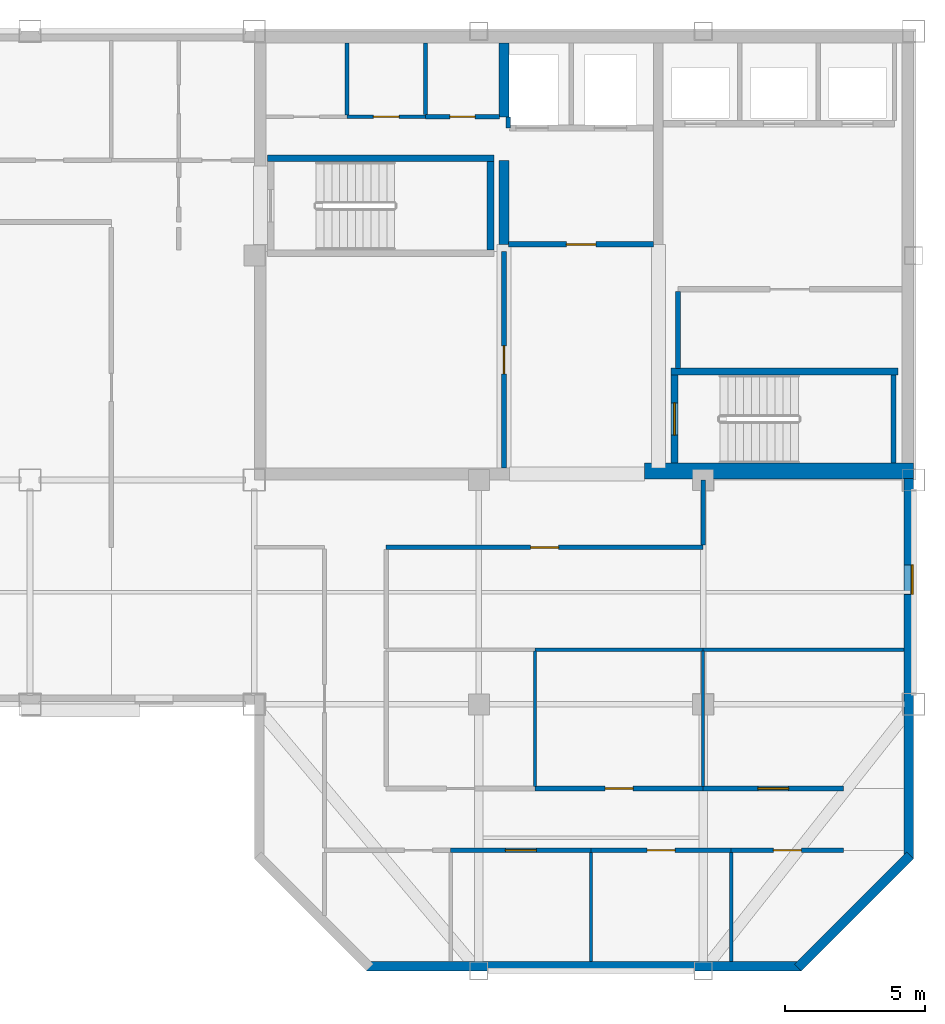
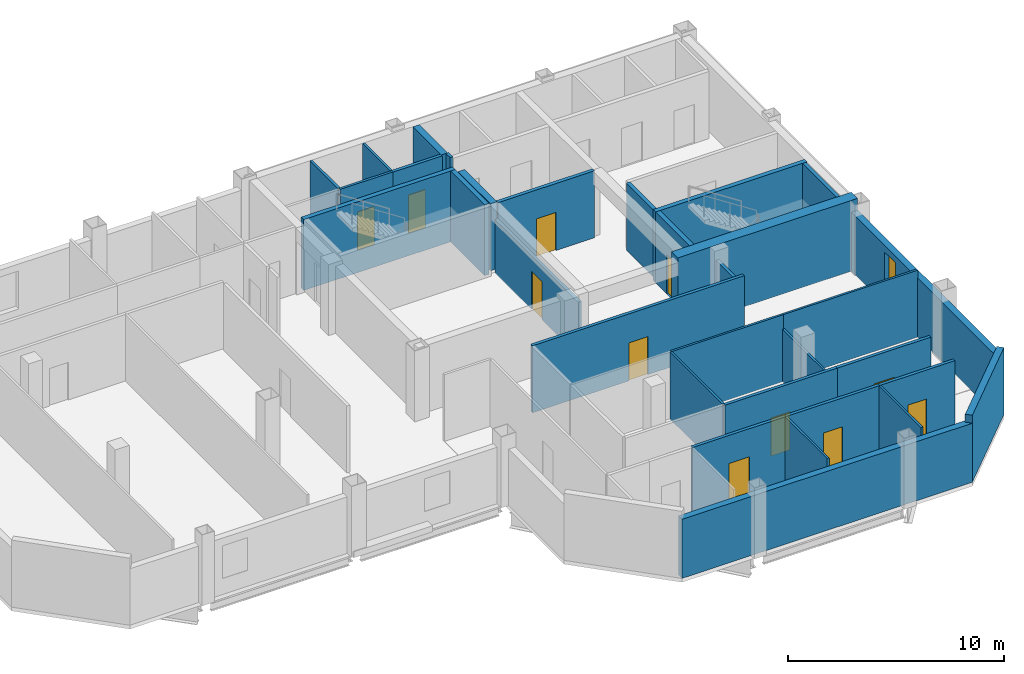
# One storey, part 3 of 7: 32 walls, 11 doors, 1 window, 12 openings.
"""IFC4 building model written with IfcOpenShell, lengths in metres."""

from ifc_helpers import new_model, si_unit, direction, frame, frame_2d, origin, place, context, subcontext, project, spatial, rectangle, extrude, material, layer, layer_set, type_object, element, fill, save


model = new_model("IFC4")

# Units and contexts
model_context = context("Model", 3, precision=1e-05, world=origin(), true_north=direction((0.0, 1.0)))
body_context = subcontext(model_context, "Body", "Model", "MODEL_VIEW")
ifc_project = project(units=[si_unit("LENGTHUNIT", "METRE"), si_unit("AREAUNIT", "SQUARE_METRE"), si_unit("VOLUMEUNIT", "CUBIC_METRE"), si_unit("PLANEANGLEUNIT", "RADIAN"), si_unit("MASSUNIT", "GRAM", prefix="KILO")], contexts=[model_context])

# Site, building, storey
site_placement = place(None, origin())
site = spatial("IfcSite", under=ifc_project, at=site_placement, CompositionType="ELEMENT")
building_placement = place(site_placement, origin())
building = spatial("IfcBuilding", under=site, at=building_placement, Name="Qianrong Seaharbour Tower", CompositionType="ELEMENT")
storey_placement = place(building_placement, frame((0.0, 0.0, 351.199951171875)))
storey = spatial("IfcBuildingStorey", under=building, at=storey_placement, Name="L85", CompositionType="ELEMENT", Elevation=351.199951171875)

# Walls
ifc_material_1 = material(Name="Concrete C70/85", Category="concrete")
ifc_layer_1 = layer(ifc_material_1, 0.580078125)
ifc_layer_set_1 = layer_set([ifc_layer_1], Name="Concrete C70/85")
wall_type_1 = type_object("IfcWallType", Name="WALL-CORE-580", PredefinedType="SHEAR", material=ifc_layer_set_1)
wall_1_placement = place(storey_placement, frame((54.39990234375, 36.320068359375, 0.0), z_axis=(0.0, 0.0, 1.0), x_axis=(1.0, 0.0, 0.0)))
element("IfcWall", 1, at=wall_1_placement, inside=storey, type_object=wall_type_1, Name="L85 South Core Shear Wall S3", PredefinedType="SHEAR", context=body_context, shape_type="SweptSolid", body=[
    extrude(rectangle(XDim=9.60009765625, YDim=0.580078125, at=frame_2d((4.800048828125, 0.0))), origin(), (0.0, 0.0, 1.0), 4.0),
])
ifc_material_2 = material(Name="Concrete C50/60", Category="concrete")
ifc_layer_2 = layer(ifc_material_2, 0.35009765625)
ifc_layer_set_2 = layer_set([ifc_layer_2], Name="Concrete C50/60")
wall_type_2 = type_object("IfcWallType", Name="WALL-CORE-INT-350", PredefinedType="SHEAR", material=ifc_layer_set_2)
wall_2_placement = place(storey_placement, frame((49.39990234375, 44.39990234375, 0.0), z_axis=(0.0, 0.0, 1.0), x_axis=(0.0, 1.0, 0.0)))
element("IfcWall", 2, at=wall_2_placement, inside=storey, type_object=wall_type_2, Name="L85 Internal Core Shear Wall IW1N1", PredefinedType="SHEAR", context=body_context, shape_type="SweptSolid", body=[
    extrude(rectangle(XDim=3.0, YDim=0.35009765625, at=frame_2d((1.5, 0.0))), origin(), (0.0, 0.0, 1.0), 3.78515625),
])
wall_3_placement = place(storey_placement, frame((49.39990234375, 48.949951171875, 0.0), z_axis=(0.0, 0.0, 1.0), x_axis=(0.0, 1.0, 0.0)))
element("IfcWall", 3, at=wall_3_placement, inside=storey, type_object=wall_type_2, Name="L85 Internal Core Shear Wall IW1N2", PredefinedType="SHEAR", context=body_context, shape_type="SweptSolid", body=[
    extrude(rectangle(XDim=2.630126953125, YDim=0.35009765625, at=frame_2d((1.31494140625, 0.0))), origin(), (0.0, 0.0, 1.0), 3.78515625),
])

# Wall, opening, door
ifc_material_3 = material(Name="Fire-rated acoustic gypsum board partition")
ifc_layer_3 = layer(ifc_material_3, 0.1650390625)
ifc_layer_set_3 = layer_set([ifc_layer_3], Name="Fire-rated acoustic gypsum board partition")
wall_type_3 = type_object("IfcWallType", Name="WALL-CORR-PART-165", PredefinedType="PARTITIONING", material=ifc_layer_set_3)
wall_4_placement = place(storey_placement, frame((46.60009765625, 48.949951171875, 0.0), z_axis=(0.0, 0.0, 1.0), x_axis=(1.0, 0.0, 0.0)))
wall_4 = element("IfcWall", 4, at=wall_4_placement, inside=storey, type_object=wall_type_3, Name="L85 Interior Partition Wall 009", PredefinedType="PARTITIONING", context=body_context, shape_type="SweptSolid", body=[
    extrude(rectangle(XDim=2.6328125, YDim=0.1650390625, at=frame_2d((1.31640625, 0.0))), origin(), (0.0, 0.0, 1.0), 3.78515625),
])
opening_1_placement = place(wall_4_placement, frame((0.866455078125, 0.0, 0.0)))
opening_1 = element("IfcOpeningElement", 5, at=opening_1_placement, cuts=wall_4, Name="Opening DS-01", PredefinedType="OPENING", context=body_context, shape_type="SweptSolid", body=[
    extrude(rectangle(XDim=0.89990234375, YDim=2.14990234375, at=frame_2d((0.449951171875, 1.074951171875))), frame((0.0, 0.092529296875, 0.0), z_axis=(0.0, -1.0, 0.0), x_axis=(1.0, 0.0, 0.0)), (0.0, 0.0, 1.0), 0.18505859375),
])
ifc_material_4 = material(Name="Acoustic timber and galvanized steel fire door assembly", Category="steel")
door_type_1 = type_object("IfcDoorType", Name="DOOR-STORE-900x2150", OperationType="NOTDEFINED", PredefinedType="DOOR", material=ifc_material_4)
door_1_placement = place(opening_1_placement, origin())
door_1 = element("IfcDoor", 6, at=door_1_placement, inside=storey, type_object=door_type_1, Name="L85 Cleaner Store Room Door", OperationType="SINGLE_SWING_RIGHT", OverallHeight=2.14990234375, OverallWidth=0.89990234375, PredefinedType="DOOR", context=body_context, shape_type="SweptSolid", body=[
    extrude(rectangle(XDim=0.89990234375, YDim=2.14990234375, at=frame_2d((0.449951171875, 1.074951171875))), frame((0.0, 0.02490234375, 0.0), z_axis=(0.0, -1.0, 0.0), x_axis=(1.0, 0.0, 0.0)), (0.0, 0.0, 1.0), 0.050048828125),
])
fill(opening_1, door_1)

wall_5_placement = place(storey_placement, frame((49.39990234375, 36.419921875, 0.0), z_axis=(0.0, 0.0, 1.0), x_axis=(0.0, 1.0, 0.0)))
wall_5 = element("IfcWall", 7, at=wall_5_placement, inside=storey, type_object=wall_type_3, Name="L85 Interior Partition Wall 011", PredefinedType="PARTITIONING", context=body_context, shape_type="SweptSolid", body=[
    extrude(rectangle(XDim=7.72998046875, YDim=0.1650390625, at=frame_2d((3.864990234375, 0.0))), origin(), (0.0, 0.0, 1.0), 3.027099609375),
])
opening_2_placement = place(wall_5_placement, frame((3.364990234375, 0.0, 0.0)))
opening_2 = element("IfcOpeningElement", 8, at=opening_2_placement, cuts=wall_5, Name="Opening DO-01", PredefinedType="OPENING", context=body_context, shape_type="SweptSolid", body=[
    extrude(rectangle(XDim=1.0, YDim=2.14990234375, at=frame_2d((0.5, 1.074951171875))), frame((0.0, 0.092529296875, 0.0), z_axis=(0.0, -1.0, 0.0), x_axis=(1.0, 0.0, 0.0)), (0.0, 0.0, 1.0), 0.18505859375),
])
door_type_2 = type_object("IfcDoorType", Name="DOOR-OFFICE-1000x2150", OperationType="NOTDEFINED", PredefinedType="DOOR", material=ifc_material_4)
door_2_placement = place(opening_2_placement, origin())
door_2 = element("IfcDoor", 9, at=door_2_placement, inside=storey, type_object=door_type_2, Name="L85 Data Systems Office Door", OperationType="SINGLE_SWING_LEFT", OverallHeight=2.14990234375, OverallWidth=1.0, PredefinedType="DOOR", context=body_context, shape_type="SweptSolid", body=[
    extrude(rectangle(XDim=1.0, YDim=2.14990234375, at=frame_2d((0.5, 1.074951171875))), frame((0.0, 0.02490234375, 0.0), z_axis=(0.0, -1.0, 0.0), x_axis=(1.0, 0.0, 0.0)), (0.0, 0.0, 1.0), 0.050048828125),
])
fill(opening_2, door_2)

# Wall
wall_6_placement = place(storey_placement, frame((56.5, 36.0, 0.0), z_axis=(0.0, 0.0, 1.0), x_axis=(0.0, -1.0, 0.0)))
element("IfcWall", 10, at=wall_6_placement, inside=storey, type_object=wall_type_3, Name="L85 Interior Partition Wall 024", PredefinedType="PARTITIONING", context=body_context, shape_type="SweptSolid", body=[
    extrude(rectangle(XDim=2.325439453125, YDim=0.1650390625, at=frame_2d((1.16259765625, 0.0))), origin(), (0.0, 0.0, 1.0), 3.177001953125),
])

# Wall, opening, door
wall_7_placement = place(storey_placement, frame((56.5, 33.60009765625, 0.0), z_axis=(0.0, 0.0, 1.0), x_axis=(-1.0, 0.0, 0.0)))
wall_7 = element("IfcWall", 11, at=wall_7_placement, inside=storey, type_object=wall_type_3, Name="L85 Interior Partition Wall 025", PredefinedType="PARTITIONING", context=body_context, shape_type="SweptSolid", body=[
    extrude(rectangle(XDim=11.300048828125, YDim=0.1650390625, at=frame_2d((5.64990234375, 0.0))), origin(), (0.0, 0.0, 1.0), 3.78515625),
])
opening_3_placement = place(wall_7_placement, frame((5.14990234375, 0.0, 0.0)))
opening_3 = element("IfcOpeningElement", 12, at=opening_3_placement, cuts=wall_7, Name="Opening DO-01", PredefinedType="OPENING", context=body_context, shape_type="SweptSolid", body=[
    extrude(rectangle(XDim=1.0, YDim=2.14990234375, at=frame_2d((0.5, 1.074951171875))), frame((0.0, 0.092529296875, 0.0), z_axis=(0.0, -1.0, 0.0), x_axis=(1.0, 0.0, 0.0)), (0.0, 0.0, 1.0), 0.18505859375),
])
door_3_placement = place(opening_3_placement, origin())
door_3 = element("IfcDoor", 13, at=door_3_placement, inside=storey, type_object=door_type_2, Name="L85 Commercial Desk Open-Plan Office Door", OperationType="SINGLE_SWING_LEFT", OverallHeight=2.14990234375, OverallWidth=1.0, PredefinedType="DOOR", context=body_context, shape_type="SweptSolid", body=[
    extrude(rectangle(XDim=1.0, YDim=2.14990234375, at=frame_2d((0.5, 1.074951171875))), frame((0.0, 0.02490234375, 0.0), z_axis=(0.0, -1.0, 0.0), x_axis=(1.0, 0.0, 0.0)), (0.0, 0.0, 1.0), 0.050048828125),
])
fill(opening_3, door_3)

wall_8_placement = place(storey_placement, frame((50.5, 25.0, 0.0), z_axis=(0.0, 0.0, 1.0), x_axis=(1.0, 0.0, 0.0)))
wall_8 = element("IfcWall", 14, at=wall_8_placement, inside=storey, type_object=wall_type_3, Name="L85 Interior Partition Wall 032", PredefinedType="PARTITIONING", context=body_context, shape_type="SweptSolid", body=[
    extrude(rectangle(XDim=6.0, YDim=0.1650390625, at=frame_2d((3.0, 0.0))), origin(), (0.0, 0.0, 1.0), 3.78515625),
])
opening_4_placement = place(wall_8_placement, frame((2.5, 0.0, 0.0)))
opening_4 = element("IfcOpeningElement", 15, at=opening_4_placement, cuts=wall_8, Name="Opening DO-01", PredefinedType="OPENING", context=body_context, shape_type="SweptSolid", body=[
    extrude(rectangle(XDim=1.0, YDim=2.14990234375, at=frame_2d((0.5, 1.074951171875))), frame((0.0, 0.092529296875, 0.0), z_axis=(0.0, -1.0, 0.0), x_axis=(1.0, 0.0, 0.0)), (0.0, 0.0, 1.0), 0.18505859375),
])
door_4_placement = place(opening_4_placement, origin())
door_4 = element("IfcDoor", 16, at=door_4_placement, inside=storey, type_object=door_type_2, Name="L85 Port Equipment Showroom 2 Door", OperationType="SINGLE_SWING_LEFT", OverallHeight=2.14990234375, OverallWidth=1.0, PredefinedType="DOOR", context=body_context, shape_type="SweptSolid", body=[
    extrude(rectangle(XDim=1.0, YDim=2.14990234375, at=frame_2d((0.5, 1.074951171875))), frame((0.0, 0.02490234375, 0.0), z_axis=(0.0, -1.0, 0.0), x_axis=(1.0, 0.0, 0.0)), (0.0, 0.0, 1.0), 0.050048828125),
])
fill(opening_4, door_4)

wall_9_placement = place(storey_placement, frame((56.5, 25.0, 0.0), z_axis=(0.0, 0.0, 1.0), x_axis=(1.0, 0.0, 0.0)))
wall_9 = element("IfcWall", 17, at=wall_9_placement, inside=storey, type_object=wall_type_3, Name="L85 Interior Partition Wall 033", PredefinedType="PARTITIONING", context=body_context, shape_type="SweptSolid", body=[
    extrude(rectangle(XDim=5.0, YDim=0.1650390625, at=frame_2d((2.5, 0.0))), origin(), (0.0, 0.0, 1.0), 3.78515625),
])
opening_5_placement = place(wall_9_placement, frame((1.949951171875, 0.0, 0.0)))
opening_5 = element("IfcOpeningElement", 18, at=opening_5_placement, cuts=wall_9, Name="Opening DM-01", PredefinedType="OPENING", context=body_context, shape_type="SweptSolid", body=[
    extrude(rectangle(XDim=1.10009765625, YDim=2.199951171875, at=frame_2d((0.550048828125, 1.10009765625))), frame((0.0, 0.092529296875, 0.0), z_axis=(0.0, -1.0, 0.0), x_axis=(1.0, 0.0, 0.0)), (0.0, 0.0, 1.0), 0.18505859375),
])
door_type_3 = type_object("IfcDoorType", Name="DOOR-MEET-1100x2200", OperationType="NOTDEFINED", PredefinedType="DOOR", material=ifc_material_4)
door_5_placement = place(opening_5_placement, origin())
door_5 = element("IfcDoor", 19, at=door_5_placement, inside=storey, type_object=door_type_3, Name="L85 Trade Meeting Room 3 Door", OperationType="SINGLE_SWING_RIGHT", OverallHeight=2.199951171875, OverallWidth=1.10009765625, PredefinedType="DOOR", context=body_context, shape_type="SweptSolid", body=[
    extrude(rectangle(XDim=1.10009765625, YDim=2.199951171875, at=frame_2d((0.550048828125, 1.10009765625))), frame((0.0, 0.02490234375, 0.0), z_axis=(0.0, -1.0, 0.0), x_axis=(1.0, 0.0, 0.0)), (0.0, 0.0, 1.0), 0.050048828125),
])
fill(opening_5, door_5)

wall_10_placement = place(storey_placement, frame((52.5, 22.800048828125, 0.0), z_axis=(0.0, 0.0, 1.0), x_axis=(-1.0, 0.0, 0.0)))
wall_10 = element("IfcWall", 20, at=wall_10_placement, inside=storey, type_object=wall_type_3, Name="L85 Interior Partition Wall 035", PredefinedType="PARTITIONING", context=body_context, shape_type="SweptSolid", body=[
    extrude(rectangle(XDim=5.0, YDim=0.1650390625, at=frame_2d((2.5, 0.0))), origin(), (0.0, 0.0, 1.0), 3.78515625),
])
opening_6_placement = place(wall_10_placement, frame((1.949951171875, 0.0, 0.0)))
opening_6 = element("IfcOpeningElement", 21, at=opening_6_placement, cuts=wall_10, Name="Opening DM-01", PredefinedType="OPENING", context=body_context, shape_type="SweptSolid", body=[
    extrude(rectangle(XDim=1.10009765625, YDim=2.199951171875, at=frame_2d((0.550048828125, 1.10009765625))), frame((0.0, 0.092529296875, 0.0), z_axis=(0.0, -1.0, 0.0), x_axis=(1.0, 0.0, 0.0)), (0.0, 0.0, 1.0), 0.18505859375),
])
door_6_placement = place(opening_6_placement, origin())
door_6 = element("IfcDoor", 22, at=door_6_placement, inside=storey, type_object=door_type_3, Name="L85 Contract Signing Room 2 Door", OperationType="SINGLE_SWING_LEFT", OverallHeight=2.199951171875, OverallWidth=1.10009765625, PredefinedType="DOOR", context=body_context, shape_type="SweptSolid", body=[
    extrude(rectangle(XDim=1.10009765625, YDim=2.199951171875, at=frame_2d((0.550048828125, 1.10009765625))), frame((0.0, 0.02490234375, 0.0), z_axis=(0.0, -1.0, 0.0), x_axis=(1.0, 0.0, 0.0)), (0.0, 0.0, 1.0), 0.050048828125),
])
fill(opening_6, door_6)

wall_11_placement = place(storey_placement, frame((57.5, 22.800048828125, 0.0), z_axis=(0.0, 0.0, 1.0), x_axis=(-1.0, 0.0, 0.0)))
wall_11 = element("IfcWall", 23, at=wall_11_placement, inside=storey, type_object=wall_type_3, Name="L85 Interior Partition Wall 036", PredefinedType="PARTITIONING", context=body_context, shape_type="SweptSolid", body=[
    extrude(rectangle(XDim=5.0, YDim=0.1650390625, at=frame_2d((2.5, 0.0))), origin(), (0.0, 0.0, 1.0), 3.78515625),
])
opening_7_placement = place(wall_11_placement, frame((2.0, 0.0, 0.0)))
opening_7 = element("IfcOpeningElement", 24, at=opening_7_placement, cuts=wall_11, Name="Opening DO-01", PredefinedType="OPENING", context=body_context, shape_type="SweptSolid", body=[
    extrude(rectangle(XDim=1.0, YDim=2.14990234375, at=frame_2d((0.5, 1.074951171875))), frame((0.0, 0.092529296875, 0.0), z_axis=(0.0, -1.0, 0.0), x_axis=(1.0, 0.0, 0.0)), (0.0, 0.0, 1.0), 0.18505859375),
])
door_7_placement = place(opening_7_placement, origin())
door_7 = element("IfcDoor", 25, at=door_7_placement, inside=storey, type_object=door_type_2, Name="L85 Marine Showcase Showroom 3 Door", OperationType="SINGLE_SWING_RIGHT", OverallHeight=2.14990234375, OverallWidth=1.0, PredefinedType="DOOR", context=body_context, shape_type="SweptSolid", body=[
    extrude(rectangle(XDim=1.0, YDim=2.14990234375, at=frame_2d((0.5, 1.074951171875))), frame((0.0, 0.02490234375, 0.0), z_axis=(0.0, -1.0, 0.0), x_axis=(1.0, 0.0, 0.0)), (0.0, 0.0, 1.0), 0.050048828125),
])
fill(opening_7, door_7)

wall_12_placement = place(storey_placement, frame((61.5, 22.800048828125, 0.0), z_axis=(0.0, 0.0, 1.0), x_axis=(-1.0, 0.0, 0.0)))
wall_12 = element("IfcWall", 26, at=wall_12_placement, inside=storey, type_object=wall_type_3, Name="L85 Interior Partition Wall 037", PredefinedType="PARTITIONING", context=body_context, shape_type="SweptSolid", body=[
    extrude(rectangle(XDim=4.0, YDim=0.1650390625, at=frame_2d((2.0, 0.0))), origin(), (0.0, 0.0, 1.0), 3.78515625),
])
opening_8_placement = place(wall_12_placement, frame((1.5, 0.0, 0.0)))
opening_8 = element("IfcOpeningElement", 27, at=opening_8_placement, cuts=wall_12, Name="Opening DO-01", PredefinedType="OPENING", context=body_context, shape_type="SweptSolid", body=[
    extrude(rectangle(XDim=1.0, YDim=2.14990234375, at=frame_2d((0.5, 1.074951171875))), frame((0.0, 0.092529296875, 0.0), z_axis=(0.0, -1.0, 0.0), x_axis=(1.0, 0.0, 0.0)), (0.0, 0.0, 1.0), 0.18505859375),
])
door_8_placement = place(opening_8_placement, origin())
door_8 = element("IfcDoor", 28, at=door_8_placement, inside=storey, type_object=door_type_2, Name="L85 Brokerage Office 4 Door", OperationType="SINGLE_SWING_LEFT", OverallHeight=2.14990234375, OverallWidth=1.0, PredefinedType="DOOR", context=body_context, shape_type="SweptSolid", body=[
    extrude(rectangle(XDim=1.0, YDim=2.14990234375, at=frame_2d((0.5, 1.074951171875))), frame((0.0, 0.02490234375, 0.0), z_axis=(0.0, -1.0, 0.0), x_axis=(1.0, 0.0, 0.0)), (0.0, 0.0, 1.0), 0.050048828125),
])
fill(opening_8, door_8)

# Walls
ifc_material_5 = material(Name="Demountable aluminium-framed acoustic office partition", Category="aluminium")
ifc_layer_4 = layer(ifc_material_5, 0.110107421875)
ifc_layer_set_4 = layer_set([ifc_layer_4], Name="Demountable aluminium-framed acoustic office partition")
wall_type_4 = type_object("IfcWallType", Name="WALL-DEMOUNT-110", PredefinedType="MOVABLE", material=ifc_layer_set_4)
wall_13_placement = place(storey_placement, frame((56.5, 29.949951171875, 0.0), z_axis=(0.0, 0.0, 1.0), x_axis=(-1.0, 0.0, 0.0)))
element("IfcWall", 29, at=wall_13_placement, inside=storey, type_object=wall_type_4, Name="L85 Interior Partition Wall 039", PredefinedType="MOVABLE", context=body_context, shape_type="SweptSolid", body=[
    extrude(rectangle(XDim=6.0, YDim=0.110107421875, at=frame_2d((3.0, 0.0))), origin(), (0.0, 0.0, 1.0), 3.78515625),
])
wall_14_placement = place(storey_placement, frame((63.66796875, 29.949951171875, 0.0), z_axis=(0.0, 0.0, 1.0), x_axis=(-1.0, 0.0, 0.0)))
element("IfcWall", 30, at=wall_14_placement, inside=storey, type_object=wall_type_4, Name="L85 Interior Partition Wall 040", PredefinedType="MOVABLE", context=body_context, shape_type="SweptSolid", body=[
    extrude(rectangle(XDim=7.16796875, YDim=0.110107421875, at=frame_2d((3.583984375, 0.0))), origin(), (0.0, 0.0, 1.0), 3.78515625),
])
wall_15_placement = place(storey_placement, frame((50.5, 29.903076171875, 0.0), z_axis=(0.0, 0.0, 1.0), x_axis=(0.0, -1.0, 0.0)))
element("IfcWall", 31, at=wall_15_placement, inside=storey, type_object=wall_type_4, Name="L85 Interior Partition Wall 041", PredefinedType="MOVABLE", context=body_context, shape_type="SweptSolid", body=[
    extrude(rectangle(XDim=4.82861328125, YDim=0.110107421875, at=frame_2d((2.414306640625, 0.0))), origin(), (0.0, 0.0, 1.0), 3.78515625),
])
wall_16_placement = place(storey_placement, frame((56.5, 29.903076171875, 0.0), z_axis=(0.0, 0.0, 1.0), x_axis=(0.0, -1.0, 0.0)))
element("IfcWall", 32, at=wall_16_placement, inside=storey, type_object=wall_type_4, Name="L85 Interior Partition Wall 042", PredefinedType="MOVABLE", context=body_context, shape_type="SweptSolid", body=[
    extrude(rectangle(XDim=4.82861328125, YDim=0.110107421875, at=frame_2d((2.414306640625, 0.0))), origin(), (0.0, 0.0, 1.0), 2.97705078125),
])
for number, where, z_axis, x_axis, name in (
    (33, (52.5, 22.7255859375, 0.0), (0.0, 0.0, 1.0), (0.0, -1.0, 0.0), "L85 Interior Partition Wall 050"),
    (34, (57.5, 22.7255859375, 0.0), (0.0, 0.0, 1.0), (0.0, -1.0, 0.0), "L85 Interior Partition Wall 051"),
):
    element("IfcWall", number, at=place(storey_placement, frame(where, z_axis=z_axis, x_axis=x_axis)), inside=storey, type_object=wall_type_4, Name=name, PredefinedType="MOVABLE", context=body_context, shape_type="SweptSolid", body=[
        extrude(rectangle(XDim=3.8935546875, YDim=0.110107421875, at=frame_2d((1.94677734375, 0.0))), origin(), (0.0, 0.0, 1.0), 3.78515625),
    ])

# Wall, opening, window
ifc_material_6 = material(Name="Unitised buff brick on Precast concrete C45/55", Category="masonry")
ifc_layer_5 = layer(ifc_material_6, 0.340087890625)
ifc_layer_set_5 = layer_set([ifc_layer_5], Name="Unitised buff brick on Precast concrete C45/55")
wall_type_5 = type_object("IfcWallType", Name="WALL-EXT-BRICK-BUFF-340", PredefinedType="SOLIDWALL", material=ifc_layer_set_5)
wall_17_placement = place(storey_placement, frame((63.830078125, 36.050048828125, 0.0), z_axis=(0.0, 0.0, 1.0), x_axis=(0.0, -1.0, 0.0)))
wall_17 = element("IfcWall", 35, at=wall_17_placement, inside=storey, type_object=wall_type_5, Name="L85 Exterior Masonry Facade Wall EAST_WING", PredefinedType="SOLIDWALL", context=body_context, shape_type="SweptSolid", body=[
    extrude(rectangle(XDim=13.550048828125, YDim=0.340087890625, at=frame_2d((6.77490234375, 0.0))), origin(), (0.0, 0.0, 1.0), 3.3349609375),
])
opening_9_placement = place(wall_17_placement, frame((3.074951171875, 0.0, 0.800048828125)))
opening_9 = element("IfcOpeningElement", 36, at=opening_9_placement, cuts=wall_17, Name="Opening WN-14", PredefinedType="OPENING", context=body_context, shape_type="SweptSolid", body=[
    extrude(rectangle(XDim=1.050048828125, YDim=2.14990234375, at=frame_2d((0.52490234375, 1.074951171875))), frame((0.0, 0.18017578125, 0.0), z_axis=(0.0, -1.0, 0.0), x_axis=(1.0, 0.0, 0.0)), (0.0, 0.0, 1.0), 0.360107421875),
])
ifc_material_7 = material(Name="Insulated low-e double glazing in thermally broken aluminium 6063-T6 frame", Category="aluminium")
window_type = type_object("IfcWindowType", Name="WIN-NARROW-1050x2150", PartitioningType="SINGLE_PANEL", PredefinedType="WINDOW", material=ifc_material_7)
window_placement = place(opening_9_placement, origin())
window = element("IfcWindow", 37, at=window_placement, inside=storey, type_object=window_type, Name="L85 Deep-Set Punched Window 06.01", OverallHeight=2.14990234375, OverallWidth=1.050048828125, PartitioningType="SINGLE_PANEL", PredefinedType="WINDOW", context=body_context, shape_type="SweptSolid", body=[
    extrude(rectangle(XDim=1.050048828125, YDim=2.14990234375, at=frame_2d((0.52490234375, 1.074951171875))), frame((0.0, 0.150146484375, 0.0), z_axis=(0.0, -1.0, 0.0), x_axis=(1.0, 0.0, 0.0)), (0.0, 0.0, 1.0), 0.06005859375),
])
fill(opening_9, window)

# Walls
wall_18_placement = place(storey_placement, frame((63.8798828125, 22.6201171875, 0.0), z_axis=(0.0, 0.0, 1.0), x_axis=(-0.707106781187, -0.707106781187, 0.0)))
element("IfcWall", 38, at=wall_18_placement, inside=storey, type_object=wall_type_5, Name="L85 Exterior Masonry Facade Wall E07", PredefinedType="SOLIDWALL", context=body_context, shape_type="SweptSolid", body=[
    extrude(rectangle(XDim=5.65673828125, YDim=0.340087890625, at=frame_2d((2.828369140625, 0.0))), origin(), (0.0, 0.0, 1.0), 3.78515625),
])
wall_19_placement = place(storey_placement, frame((60.0, 18.669921875, 0.0), z_axis=(0.0, 0.0, 1.0), x_axis=(-1.0, 0.0, 0.0)))
element("IfcWall", 39, at=wall_19_placement, inside=storey, type_object=wall_type_5, Name="L85 Exterior Masonry Facade Wall SOUTH_TIP", PredefinedType="SOLIDWALL", context=body_context, shape_type="SweptSolid", body=[
    extrude(rectangle(XDim=15.5, YDim=0.340087890625, at=frame_2d((7.75, 0.0))), origin(), (0.0, 0.0, 1.0), 3.3349609375),
])

# Wall, opening, door
ifc_material_8 = material(Name="Double fire-rated gypsum board acoustic partition")
ifc_layer_6 = layer(ifc_material_8, 0.18994140625)
ifc_layer_set_6 = layer_set([ifc_layer_6], Name="Double fire-rated gypsum board acoustic partition")
wall_type_6 = type_object("IfcWallType", Name="WALL-FIRE-PART-190", PredefinedType="PARTITIONING", material=ifc_layer_set_6)
wall_20_placement = place(storey_placement, frame((54.73291015625, 44.39990234375, 0.0), z_axis=(0.0, 0.0, 1.0), x_axis=(-1.0, 0.0, 0.0)))
wall_20 = element("IfcWall", 40, at=wall_20_placement, inside=storey, type_object=wall_type_6, Name="L85 Interior Partition Wall 010", PredefinedType="PARTITIONING", context=body_context, shape_type="SweptSolid", body=[
    extrude(rectangle(XDim=5.166015625, YDim=0.18994140625, at=frame_2d((2.5830078125, 0.0))), origin(), (0.0, 0.0, 1.0), 3.78515625),
])
opening_10_placement = place(wall_20_placement, frame((2.05810546875, 0.0, 0.0)))
opening_10 = element("IfcOpeningElement", 41, at=opening_10_placement, cuts=wall_20, Name="Opening DC-01", PredefinedType="OPENING", context=body_context, shape_type="SweptSolid", body=[
    extrude(rectangle(XDim=1.050048828125, YDim=2.14990234375, at=frame_2d((0.52490234375, 1.074951171875))), frame((0.0, 0.10498046875, 0.0), z_axis=(0.0, -1.0, 0.0), x_axis=(1.0, 0.0, 0.0)), (0.0, 0.0, 1.0), 0.2099609375),
])
door_type_4 = type_object("IfcDoorType", Name="DOOR-CORR-FD60-1050x2150", OperationType="NOTDEFINED", PredefinedType="DOOR", material=ifc_material_4)
door_9_placement = place(opening_10_placement, origin())
door_9 = element("IfcDoor", 42, at=door_9_placement, inside=storey, type_object=door_type_4, Name="L85 Firefighting Lift Lobby Door", OperationType="SINGLE_SWING_RIGHT", OverallHeight=2.14990234375, OverallWidth=1.050048828125, PredefinedType="DOOR", context=body_context, shape_type="SweptSolid", body=[
    extrude(rectangle(XDim=1.050048828125, YDim=2.14990234375, at=frame_2d((0.52490234375, 1.074951171875))), frame((0.0, 0.02490234375, 0.0), z_axis=(0.0, -1.0, 0.0), x_axis=(1.0, 0.0, 0.0)), (0.0, 0.0, 1.0), 0.050048828125),
])
fill(opening_10, door_9)

# Walls
wall_21_placement = place(storey_placement, frame((55.60009765625, 42.712890625, 0.0), z_axis=(0.0, 0.0, 1.0), x_axis=(0.0, -1.0, 0.0)))
element("IfcWall", 43, at=wall_21_placement, inside=storey, type_object=wall_type_6, Name="L85 Interior Partition Wall 012", PredefinedType="PARTITIONING", context=body_context, shape_type="SweptSolid", body=[
    extrude(rectangle(XDim=2.73095703125, YDim=0.18994140625, at=frame_2d((1.365478515625, 0.0))), origin(), (0.0, 0.0, 1.0), 3.78515625),
])
ifc_material_9 = material(Name="Fire-rated gypsum board on steel studs", Category="steel")
ifc_layer_7 = layer(ifc_material_9, 0.14990234375)
ifc_layer_set_7 = layer_set([ifc_layer_7], Name="Fire-rated gypsum board on steel studs")
wall_type_7 = type_object("IfcWallType", Name="WALL-SHAFT-DIV-150", PredefinedType="PARTITIONING", material=ifc_layer_set_7)
wall_22_placement = place(storey_placement, frame((49.550048828125, 48.550048828125, 0.0), z_axis=(0.0, 0.0, 1.0), x_axis=(0.0, 1.0, 0.0)))
element("IfcWall", 44, at=wall_22_placement, inside=storey, type_object=wall_type_7, Name="L85 Firefighting Lift Shaft West Return Wall", PredefinedType="PARTITIONING", context=body_context, shape_type="SweptSolid", body=[
    extrude(rectangle(XDim=0.39990234375, YDim=0.14990234375, at=frame_2d((0.199951171875, 0.0))), origin(), (0.0, 0.0, 1.0), 3.78515625),
])
ifc_layer_8 = layer(ifc_material_2, 0.239990234375)
ifc_layer_set_8 = layer_set([ifc_layer_8], Name="Concrete C50/60")
wall_type_8 = type_object("IfcWallType", Name="WALL-SHAFT-RC240", PredefinedType="SOLIDWALL", material=ifc_layer_set_8)
wall_23_placement = place(storey_placement, frame((40.9599609375, 47.469970703125, 0.0), z_axis=(0.0, 0.0, 1.0), x_axis=(1.0, 0.0, 0.0)))
element("IfcWall", 45, at=wall_23_placement, inside=storey, type_object=wall_type_8, Name="L85 ST-1 Structural Stair Core Wall N", PredefinedType="SOLIDWALL", context=body_context, shape_type="SweptSolid", body=[
    extrude(rectangle(XDim=8.080078125, YDim=0.239990234375, at=frame_2d((4.0400390625, 0.0))), origin(), (0.0, 0.0, 1.0), 4.0),
])
wall_24_placement = place(storey_placement, frame((48.919921875, 44.199951171875, 0.0), z_axis=(0.0, 0.0, 1.0), x_axis=(0.0, 1.0, 0.0)))
element("IfcWall", 46, at=wall_24_placement, inside=storey, type_object=wall_type_8, Name="L85 ST-1 Structural Stair Core Wall E", PredefinedType="SOLIDWALL", context=body_context, shape_type="SweptSolid", body=[
    extrude(rectangle(XDim=3.150146484375, YDim=0.239990234375, at=frame_2d((1.5751953125, 0.0))), origin(), (0.0, 0.0, 1.0), 4.0),
])
wall_25_placement = place(storey_placement, frame((55.360107421875, 39.8701171875, 0.0), z_axis=(0.0, 0.0, 1.0), x_axis=(1.0, 0.0, 0.0)))
element("IfcWall", 47, at=wall_25_placement, inside=storey, type_object=wall_type_8, Name="L85 ST-2 Structural Stair Core Wall N", PredefinedType="SOLIDWALL", context=body_context, shape_type="SweptSolid", body=[
    extrude(rectangle(XDim=8.079833984375, YDim=0.239990234375, at=frame_2d((4.0400390625, 0.0))), origin(), (0.0, 0.0, 1.0), 4.0),
])

# Wall, opening, door
wall_26_placement = place(storey_placement, frame((55.47998046875, 39.75, 0.0), z_axis=(0.0, 0.0, 1.0), x_axis=(0.0, -1.0, 0.0)))
wall_26 = element("IfcWall", 48, at=wall_26_placement, inside=storey, type_object=wall_type_8, Name="L85 ST-2 Structural Stair Core Wall W", PredefinedType="SOLIDWALL", context=body_context, shape_type="SweptSolid", body=[
    extrude(rectangle(XDim=3.14990234375, YDim=0.239990234375, at=frame_2d((1.574951171875, 0.0))), origin(), (0.0, 0.0, 1.0), 4.0),
])
opening_11_placement = place(wall_26_placement, frame((1.0, 0.0, 0.0)))
opening_11 = element("IfcOpeningElement", 49, at=opening_11_placement, cuts=wall_26, Name="Opening SD-01", PredefinedType="OPENING", context=body_context, shape_type="SweptSolid", body=[
    extrude(rectangle(XDim=1.14990234375, YDim=2.199951171875, at=frame_2d((0.574951171875, 1.10009765625))), frame((0.0, 0.1298828125, 0.0), z_axis=(0.0, -1.0, 0.0), x_axis=(1.0, 0.0, 0.0)), (0.0, 0.0, 1.0), 0.260009765625),
])
door_type_5 = type_object("IfcDoorType", Name="DOOR-STAIR-FD60-1150x2200", OperationType="NOTDEFINED", PredefinedType="DOOR", material=ifc_material_4)
door_10_placement = place(opening_11_placement, origin())
door_10 = element("IfcDoor", 50, at=door_10_placement, inside=storey, type_object=door_type_5, Name="L85 ST-2 Protected Stair Door", OperationType="SINGLE_SWING_RIGHT", OverallHeight=2.199951171875, OverallWidth=1.14990234375, PredefinedType="DOOR", context=body_context, shape_type="SweptSolid", body=[
    extrude(rectangle(XDim=1.14990234375, YDim=2.199951171875, at=frame_2d((0.574951171875, 1.10009765625))), frame((0.0, 0.02490234375, 0.0), z_axis=(0.0, -1.0, 0.0), x_axis=(1.0, 0.0, 0.0)), (0.0, 0.0, 1.0), 0.050048828125),
])
fill(opening_11, door_10)

# Wall
wall_27_placement = place(storey_placement, frame((63.2900390625, 36.60009765625, 0.0), z_axis=(0.0, 0.0, 1.0), x_axis=(0.0, 1.0, 0.0)))
element("IfcWall", 51, at=wall_27_placement, inside=storey, type_object=wall_type_8, Name="L85 ST-2 Structural Stair Core Wall E", PredefinedType="SOLIDWALL", context=body_context, shape_type="SweptSolid", body=[
    extrude(rectangle(XDim=3.14990234375, YDim=0.179931640625, at=frame_2d((1.574951171875, 0.0))), origin(), (0.0, 0.0, 1.0), 4.0),
])

# Wall, opening, door
ifc_material_10 = material(Name="Water-resistant cement board sanitary partition")
ifc_layer_9 = layer(ifc_material_10, 0.1298828125)
ifc_layer_set_9 = layer_set([ifc_layer_9], Name="Water-resistant cement board sanitary partition")
wall_type_9 = type_object("IfcWallType", Name="WALL-WET-PART-130", PredefinedType="PARTITIONING", material=ifc_layer_set_9)
wall_28_placement = place(storey_placement, frame((43.800048828125, 48.949951171875, 0.0), z_axis=(0.0, 0.0, 1.0), x_axis=(1.0, 0.0, 0.0)))
wall_28 = element("IfcWall", 52, at=wall_28_placement, inside=storey, type_object=wall_type_9, Name="L85 Interior Partition Wall 008", PredefinedType="PARTITIONING", context=body_context, shape_type="SweptSolid", body=[
    extrude(rectangle(XDim=2.800048828125, YDim=0.1298828125, at=frame_2d((1.39990234375, 0.0))), origin(), (0.0, 0.0, 1.0), 3.78515625),
])
opening_12_placement = place(wall_28_placement, frame((0.93994140625, 0.0, 0.0)))
opening_12 = element("IfcOpeningElement", 53, at=opening_12_placement, cuts=wall_28, Name="Opening DW-01", PredefinedType="OPENING", context=body_context, shape_type="SweptSolid", body=[
    extrude(rectangle(XDim=0.919921875, YDim=2.14990234375, at=frame_2d((0.4599609375, 1.074951171875))), frame((0.0, 0.074951171875, 0.0), z_axis=(0.0, -1.0, 0.0), x_axis=(1.0, 0.0, 0.0)), (0.0, 0.0, 1.0), 0.14990234375),
])
door_type_6 = type_object("IfcDoorType", Name="DOOR-WC-920x2150", OperationType="NOTDEFINED", PredefinedType="DOOR", material=ifc_material_4)
door_11_placement = place(opening_12_placement, origin())
door_11 = element("IfcDoor", 54, at=door_11_placement, inside=storey, type_object=door_type_6, Name="L85 Female Restroom WC Door", OperationType="SINGLE_SWING_LEFT", OverallHeight=2.14990234375, OverallWidth=0.919921875, PredefinedType="DOOR", context=body_context, shape_type="SweptSolid", body=[
    extrude(rectangle(XDim=0.919921875, YDim=2.14990234375, at=frame_2d((0.4599609375, 1.074951171875))), frame((0.0, 0.02490234375, 0.0), z_axis=(0.0, -1.0, 0.0), x_axis=(1.0, 0.0, 0.0)), (0.0, 0.0, 1.0), 0.050048828125),
])
fill(opening_12, door_11)

# Walls
wall_29_placement = place(storey_placement, frame((43.800048828125, 51.580078125, 0.0), z_axis=(0.0, 0.0, 1.0), x_axis=(0.0, -1.0, 0.0)))
element("IfcWall", 55, at=wall_29_placement, inside=storey, type_object=wall_type_9, Name="L85 Interior Partition Wall 014", PredefinedType="PARTITIONING", context=body_context, shape_type="SweptSolid", body=[
    extrude(rectangle(XDim=2.572998046875, YDim=0.1298828125, at=frame_2d((1.28662109375, 0.0))), origin(), (0.0, 0.0, 1.0), 3.78515625),
])
wall_30_placement = place(storey_placement, frame((46.60009765625, 51.580078125, 0.0), z_axis=(0.0, 0.0, 1.0), x_axis=(0.0, -1.0, 0.0)))
element("IfcWall", 56, at=wall_30_placement, inside=storey, type_object=wall_type_9, Name="L85 Interior Partition Wall 015", PredefinedType="PARTITIONING", context=body_context, shape_type="SweptSolid", body=[
    extrude(rectangle(XDim=2.5556640625, YDim=0.1298828125, at=frame_2d((1.27783203125, 0.0))), origin(), (0.0, 0.0, 1.0), 3.78515625),
])

save(model, "model.ifc")
